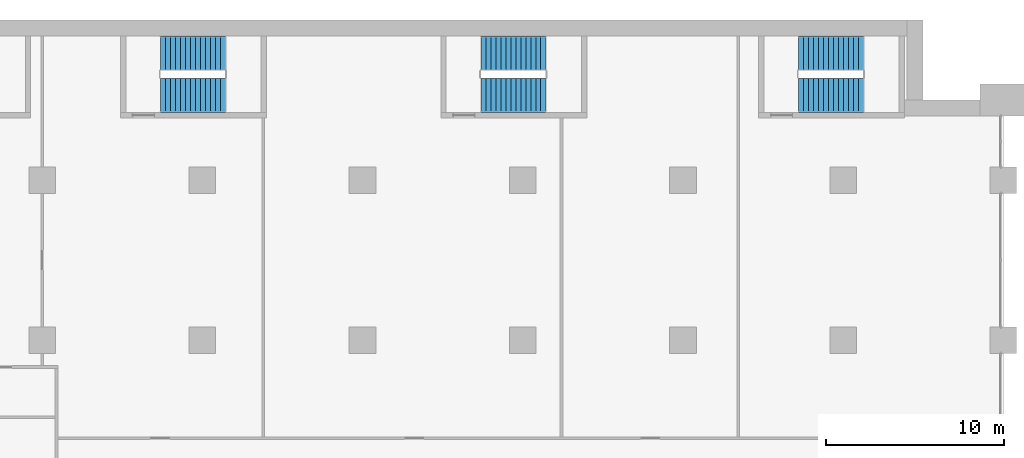
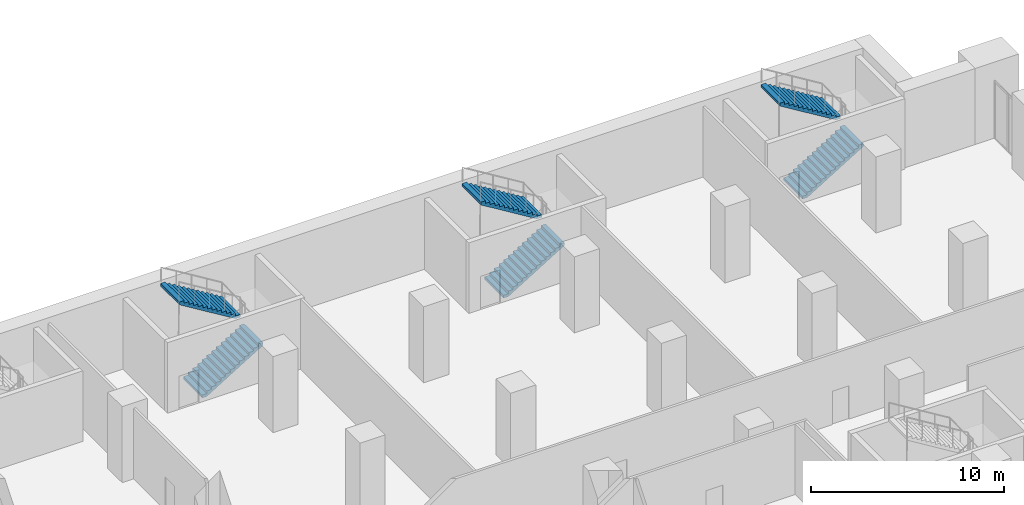
# One storey, part 34 of 49: 6 stair flights, 3 elements without a shape of their own.
"""IFC4 building model written with IfcOpenShell, lengths in metres."""

from ifc_helpers import new_model, si_unit, direction, frame, origin, place, context, subcontext, project, spatial, polyline, outline, extrude, material, type_object, element, aggregate, save


model = new_model("IFC4")

# Units and contexts
model_context = context("Model", 3, precision=1e-05, world=origin(), true_north=direction((0.0, 1.0)))
body_context = subcontext(model_context, "Body", "Model", "MODEL_VIEW")
ifc_project = project(units=[si_unit("LENGTHUNIT", "METRE"), si_unit("AREAUNIT", "SQUARE_METRE"), si_unit("VOLUMEUNIT", "CUBIC_METRE"), si_unit("PLANEANGLEUNIT", "RADIAN"), si_unit("MASSUNIT", "GRAM", prefix="KILO")], contexts=[model_context])

# Site, building, storey
site_placement = place(None, origin())
site = spatial("IfcSite", under=ifc_project, at=site_placement, CompositionType="ELEMENT")
building_placement = place(site_placement, origin())
building = spatial("IfcBuilding", under=site, at=building_placement, Name="Hunhe Ridgeline Campus", CompositionType="ELEMENT")
storey_placement = place(building_placement, frame((0.0, 0.0, 21.60009765625)))
storey = spatial("IfcBuildingStorey", under=building, at=storey_placement, Name="L04", CompositionType="ELEMENT", Elevation=21.60009765625)

# Stair, stair flights
ifc_material = material(Name="Concrete C40", Category="concrete")
stair_type = type_object("IfcStairType", Name="Reinforced concrete dog-leg stair 1950 Concrete C40", PredefinedType="HALF_TURN_STAIR", material=ifc_material)
stair_1_placement = place(storey_placement, origin())
stair_1 = element("IfcStair", 1, at=stair_1_placement, inside=storey, type_object=stair_type, Name="L04 E2", PredefinedType="HALF_TURN_STAIR")
stair_flight_type = type_object("IfcStairFlightType", Name="Reinforced concrete stair flight 1950 Concrete C40", PredefinedType="STRAIGHT", material=ifc_material)
stair_flight_1_placement = place(storey_placement, frame((51.64990234375, 94.77490234375, 0.0), z_axis=(0.0, 0.0, 1.0), x_axis=(1.0, 0.0, 0.0)))
stair_flight_1 = element("IfcStairFlight", 2, at=stair_flight_1_placement, type_object=stair_flight_type, Name="ST6 flight 1", NumberOfRisers=14, NumberOfTreads=13, PredefinedType="STRAIGHT", RiserHeight=0.171428571, TreadLength=0.28, context=body_context, shape_type="SweptSolid", body=[
    extrude(outline(polyline([(0.0, 0.0), (0.0, 0.17138671875), (0.280029296875, 0.17138671875), (0.280029296875, 0.3427734375), (0.56005859375, 0.3427734375), (0.56005859375, 0.514404296875), (0.840087890625, 0.514404296875), (0.840087890625, 0.685791015625), (1.1201171875, 0.685791015625), (1.1201171875, 0.857177734375), (1.39990234375, 0.857177734375), (1.39990234375, 1.028564453125), (1.679931640625, 1.028564453125), (1.679931640625, 1.199951171875), (1.9599609375, 1.199951171875), (1.9599609375, 1.371337890625), (2.239990234375, 1.371337890625), (2.239990234375, 1.54296875), (2.52001953125, 1.54296875), (2.52001953125, 1.71435546875), (2.800048828125, 1.71435546875), (2.800048828125, 1.8857421875), (3.080078125, 1.8857421875), (3.080078125, 2.05712890625), (3.360107421875, 2.05712890625), (3.360107421875, 2.228515625), (3.639892578125, 2.228515625), (3.639892578125, 2.39990234375), (3.639892578125, 2.052734375), (0.287109375, 0.0), (0.0, 0.0)])), frame((0.0, 0.97509765625, 0.0), z_axis=(0.0, -1.0, 0.0), x_axis=(1.0, 0.0, 0.0)), (0.0, 0.0, 1.0), 1.949951171875),
    extrude(outline(polyline([(0.030029296875, 0.030029296875), (0.030029296875, 0.141357421875), (0.31005859375, 0.141357421875), (0.31005859375, 0.31298828125), (0.590087890625, 0.31298828125), (0.590087890625, 0.484375), (0.8701171875, 0.484375), (0.8701171875, 0.65576171875), (1.14990234375, 0.65576171875), (1.14990234375, 0.8271484375), (1.429931640625, 0.8271484375), (1.429931640625, 0.99853515625), (1.7099609375, 0.99853515625), (1.7099609375, 1.169921875), (1.989990234375, 1.169921875), (1.989990234375, 1.34130859375), (2.27001953125, 1.34130859375), (2.27001953125, 1.512939453125), (2.550048828125, 1.512939453125), (2.550048828125, 1.684326171875), (2.830078125, 1.684326171875), (2.830078125, 1.855712890625), (3.110107421875, 1.855712890625), (3.110107421875, 2.027099609375), (3.389892578125, 2.027099609375), (3.389892578125, 2.198486328125), (3.610107421875, 2.198486328125), (3.610107421875, 2.069580078125), (0.278564453125, 0.030029296875), (0.030029296875, 0.030029296875)])), frame((0.0, -0.070068359375, 0.0), z_axis=(0.0, -1.0, 0.0), x_axis=(1.0, 0.0, 0.0)), (0.0, 0.0, 1.0), 0.019775390625),
    extrude(outline(polyline([(0.030029296875, 0.030029296875), (0.030029296875, 0.141357421875), (0.31005859375, 0.141357421875), (0.31005859375, 0.31298828125), (0.590087890625, 0.31298828125), (0.590087890625, 0.484375), (0.8701171875, 0.484375), (0.8701171875, 0.65576171875), (1.14990234375, 0.65576171875), (1.14990234375, 0.8271484375), (1.429931640625, 0.8271484375), (1.429931640625, 0.99853515625), (1.7099609375, 0.99853515625), (1.7099609375, 1.169921875), (1.989990234375, 1.169921875), (1.989990234375, 1.34130859375), (2.27001953125, 1.34130859375), (2.27001953125, 1.512939453125), (2.550048828125, 1.512939453125), (2.550048828125, 1.684326171875), (2.830078125, 1.684326171875), (2.830078125, 1.855712890625), (3.110107421875, 1.855712890625), (3.110107421875, 2.027099609375), (3.389892578125, 2.027099609375), (3.389892578125, 2.198486328125), (3.610107421875, 2.198486328125), (3.610107421875, 2.069580078125), (0.278564453125, 0.030029296875), (0.030029296875, 0.030029296875)])), frame((0.0, 0.010009765625, 0.0), z_axis=(0.0, -1.0, 0.0), x_axis=(1.0, 0.0, 0.0)), (0.0, 0.0, 1.0), 0.019775390625),
    extrude(outline(polyline([(0.030029296875, 0.030029296875), (0.030029296875, 0.141357421875), (0.31005859375, 0.141357421875), (0.31005859375, 0.31298828125), (0.590087890625, 0.31298828125), (0.590087890625, 0.484375), (0.8701171875, 0.484375), (0.8701171875, 0.65576171875), (1.14990234375, 0.65576171875), (1.14990234375, 0.8271484375), (1.429931640625, 0.8271484375), (1.429931640625, 0.99853515625), (1.7099609375, 0.99853515625), (1.7099609375, 1.169921875), (1.989990234375, 1.169921875), (1.989990234375, 1.34130859375), (2.27001953125, 1.34130859375), (2.27001953125, 1.512939453125), (2.550048828125, 1.512939453125), (2.550048828125, 1.684326171875), (2.830078125, 1.684326171875), (2.830078125, 1.855712890625), (3.110107421875, 1.855712890625), (3.110107421875, 2.027099609375), (3.389892578125, 2.027099609375), (3.389892578125, 2.198486328125), (3.610107421875, 2.198486328125), (3.610107421875, 2.069580078125), (0.278564453125, 0.030029296875), (0.030029296875, 0.030029296875)])), frame((0.0, 0.090087890625, 0.0), z_axis=(0.0, -1.0, 0.0), x_axis=(1.0, 0.0, 0.0)), (0.0, 0.0, 1.0), 0.019775390625),
])
stair_flight_2_placement = place(storey_placement, frame((55.2900390625, 97.125, 2.39990234375), z_axis=(0.0, 0.0, 1.0), x_axis=(-1.0, 0.0, 0.0)))
stair_flight_2 = element("IfcStairFlight", 3, at=stair_flight_2_placement, type_object=stair_flight_type, Name="ST6 flight 2", NumberOfRisers=14, NumberOfTreads=13, PredefinedType="STRAIGHT", RiserHeight=0.171428571, TreadLength=0.28, context=body_context, shape_type="SweptSolid", body=[
    extrude(outline(polyline([(0.0, 0.0), (0.0, 0.17138671875), (0.280029296875, 0.17138671875), (0.280029296875, 0.3427734375), (0.56005859375, 0.3427734375), (0.56005859375, 0.514404296875), (0.840087890625, 0.514404296875), (0.840087890625, 0.685791015625), (1.1201171875, 0.685791015625), (1.1201171875, 0.857177734375), (1.39990234375, 0.857177734375), (1.39990234375, 1.028564453125), (1.679931640625, 1.028564453125), (1.679931640625, 1.199951171875), (1.9599609375, 1.199951171875), (1.9599609375, 1.371337890625), (2.239990234375, 1.371337890625), (2.239990234375, 1.54296875), (2.52001953125, 1.54296875), (2.52001953125, 1.71435546875), (2.800048828125, 1.71435546875), (2.800048828125, 1.8857421875), (3.080078125, 1.8857421875), (3.080078125, 2.05712890625), (3.360107421875, 2.05712890625), (3.360107421875, 2.228515625), (3.639892578125, 2.228515625), (3.639892578125, 2.39990234375), (3.639892578125, 2.052734375), (0.287109375, 0.0), (0.0, 0.0)])), frame((0.0, 0.97509765625, 0.0), z_axis=(0.0, -1.0, 0.0), x_axis=(1.0, 0.0, 0.0)), (0.0, 0.0, 1.0), 1.949951171875),
    extrude(outline(polyline([(0.030029296875, 0.030029296875), (0.030029296875, 0.141357421875), (0.31005859375, 0.141357421875), (0.31005859375, 0.31298828125), (0.590087890625, 0.31298828125), (0.590087890625, 0.484375), (0.8701171875, 0.484375), (0.8701171875, 0.65576171875), (1.14990234375, 0.65576171875), (1.14990234375, 0.8271484375), (1.429931640625, 0.8271484375), (1.429931640625, 0.99853515625), (1.7099609375, 0.99853515625), (1.7099609375, 1.169921875), (1.989990234375, 1.169921875), (1.989990234375, 1.34130859375), (2.27001953125, 1.34130859375), (2.27001953125, 1.512939453125), (2.550048828125, 1.512939453125), (2.550048828125, 1.684326171875), (2.830078125, 1.684326171875), (2.830078125, 1.855712890625), (3.110107421875, 1.855712890625), (3.110107421875, 2.027099609375), (3.389892578125, 2.027099609375), (3.389892578125, 2.198486328125), (3.610107421875, 2.198486328125), (3.610107421875, 2.069580078125), (0.278564453125, 0.030029296875), (0.030029296875, 0.030029296875)])), frame((0.0, -0.070068359375, 0.0), z_axis=(0.0, -1.0, 0.0), x_axis=(1.0, 0.0, 0.0)), (0.0, 0.0, 1.0), 0.019775390625),
    extrude(outline(polyline([(0.030029296875, 0.030029296875), (0.030029296875, 0.141357421875), (0.31005859375, 0.141357421875), (0.31005859375, 0.31298828125), (0.590087890625, 0.31298828125), (0.590087890625, 0.484375), (0.8701171875, 0.484375), (0.8701171875, 0.65576171875), (1.14990234375, 0.65576171875), (1.14990234375, 0.8271484375), (1.429931640625, 0.8271484375), (1.429931640625, 0.99853515625), (1.7099609375, 0.99853515625), (1.7099609375, 1.169921875), (1.989990234375, 1.169921875), (1.989990234375, 1.34130859375), (2.27001953125, 1.34130859375), (2.27001953125, 1.512939453125), (2.550048828125, 1.512939453125), (2.550048828125, 1.684326171875), (2.830078125, 1.684326171875), (2.830078125, 1.855712890625), (3.110107421875, 1.855712890625), (3.110107421875, 2.027099609375), (3.389892578125, 2.027099609375), (3.389892578125, 2.198486328125), (3.610107421875, 2.198486328125), (3.610107421875, 2.069580078125), (0.278564453125, 0.030029296875), (0.030029296875, 0.030029296875)])), frame((0.0, 0.010009765625, 0.0), z_axis=(0.0, -1.0, 0.0), x_axis=(1.0, 0.0, 0.0)), (0.0, 0.0, 1.0), 0.019775390625),
    extrude(outline(polyline([(0.030029296875, 0.030029296875), (0.030029296875, 0.141357421875), (0.31005859375, 0.141357421875), (0.31005859375, 0.31298828125), (0.590087890625, 0.31298828125), (0.590087890625, 0.484375), (0.8701171875, 0.484375), (0.8701171875, 0.65576171875), (1.14990234375, 0.65576171875), (1.14990234375, 0.8271484375), (1.429931640625, 0.8271484375), (1.429931640625, 0.99853515625), (1.7099609375, 0.99853515625), (1.7099609375, 1.169921875), (1.989990234375, 1.169921875), (1.989990234375, 1.34130859375), (2.27001953125, 1.34130859375), (2.27001953125, 1.512939453125), (2.550048828125, 1.512939453125), (2.550048828125, 1.684326171875), (2.830078125, 1.684326171875), (2.830078125, 1.855712890625), (3.110107421875, 1.855712890625), (3.110107421875, 2.027099609375), (3.389892578125, 2.027099609375), (3.389892578125, 2.198486328125), (3.610107421875, 2.198486328125), (3.610107421875, 2.069580078125), (0.278564453125, 0.030029296875), (0.030029296875, 0.030029296875)])), frame((0.0, 0.090087890625, 0.0), z_axis=(0.0, -1.0, 0.0), x_axis=(1.0, 0.0, 0.0)), (0.0, 0.0, 1.0), 0.019775390625),
])
aggregate(stair_1, [stair_flight_1, stair_flight_2])

stair_2_placement = place(storey_placement, origin())
stair_2 = element("IfcStair", 4, at=stair_2_placement, inside=storey, type_object=stair_type, Name="L04 E3", PredefinedType="HALF_TURN_STAIR")
stair_flight_3_placement = place(storey_placement, frame((69.64990234375, 94.77490234375, 0.0), z_axis=(0.0, 0.0, 1.0), x_axis=(1.0, 0.0, 0.0)))
stair_flight_3 = element("IfcStairFlight", 5, at=stair_flight_3_placement, type_object=stair_flight_type, Name="ST7 flight 1", NumberOfRisers=14, NumberOfTreads=13, PredefinedType="STRAIGHT", RiserHeight=0.171428571, TreadLength=0.28, context=body_context, shape_type="SweptSolid", body=[
    extrude(outline(polyline([(0.0, 0.0), (0.0, 0.17138671875), (0.280029296875, 0.17138671875), (0.280029296875, 0.3427734375), (0.56005859375, 0.3427734375), (0.56005859375, 0.514404296875), (0.840087890625, 0.514404296875), (0.840087890625, 0.685791015625), (1.1201171875, 0.685791015625), (1.1201171875, 0.857177734375), (1.39990234375, 0.857177734375), (1.39990234375, 1.028564453125), (1.679931640625, 1.028564453125), (1.679931640625, 1.199951171875), (1.9599609375, 1.199951171875), (1.9599609375, 1.371337890625), (2.239990234375, 1.371337890625), (2.239990234375, 1.54296875), (2.52001953125, 1.54296875), (2.52001953125, 1.71435546875), (2.800048828125, 1.71435546875), (2.800048828125, 1.8857421875), (3.080078125, 1.8857421875), (3.080078125, 2.05712890625), (3.360107421875, 2.05712890625), (3.360107421875, 2.228515625), (3.639892578125, 2.228515625), (3.639892578125, 2.39990234375), (3.639892578125, 2.052734375), (0.287109375, 0.0), (0.0, 0.0)])), frame((0.0, 0.97509765625, 0.0), z_axis=(0.0, -1.0, 0.0), x_axis=(1.0, 0.0, 0.0)), (0.0, 0.0, 1.0), 1.949951171875),
    extrude(outline(polyline([(0.030029296875, 0.030029296875), (0.030029296875, 0.141357421875), (0.31005859375, 0.141357421875), (0.31005859375, 0.31298828125), (0.590087890625, 0.31298828125), (0.590087890625, 0.484375), (0.8701171875, 0.484375), (0.8701171875, 0.65576171875), (1.14990234375, 0.65576171875), (1.14990234375, 0.8271484375), (1.429931640625, 0.8271484375), (1.429931640625, 0.99853515625), (1.7099609375, 0.99853515625), (1.7099609375, 1.169921875), (1.989990234375, 1.169921875), (1.989990234375, 1.34130859375), (2.27001953125, 1.34130859375), (2.27001953125, 1.512939453125), (2.550048828125, 1.512939453125), (2.550048828125, 1.684326171875), (2.830078125, 1.684326171875), (2.830078125, 1.855712890625), (3.110107421875, 1.855712890625), (3.110107421875, 2.027099609375), (3.389892578125, 2.027099609375), (3.389892578125, 2.198486328125), (3.610107421875, 2.198486328125), (3.610107421875, 2.069580078125), (0.278564453125, 0.030029296875), (0.030029296875, 0.030029296875)])), frame((0.0, -0.070068359375, 0.0), z_axis=(0.0, -1.0, 0.0), x_axis=(1.0, 0.0, 0.0)), (0.0, 0.0, 1.0), 0.019775390625),
    extrude(outline(polyline([(0.030029296875, 0.030029296875), (0.030029296875, 0.141357421875), (0.31005859375, 0.141357421875), (0.31005859375, 0.31298828125), (0.590087890625, 0.31298828125), (0.590087890625, 0.484375), (0.8701171875, 0.484375), (0.8701171875, 0.65576171875), (1.14990234375, 0.65576171875), (1.14990234375, 0.8271484375), (1.429931640625, 0.8271484375), (1.429931640625, 0.99853515625), (1.7099609375, 0.99853515625), (1.7099609375, 1.169921875), (1.989990234375, 1.169921875), (1.989990234375, 1.34130859375), (2.27001953125, 1.34130859375), (2.27001953125, 1.512939453125), (2.550048828125, 1.512939453125), (2.550048828125, 1.684326171875), (2.830078125, 1.684326171875), (2.830078125, 1.855712890625), (3.110107421875, 1.855712890625), (3.110107421875, 2.027099609375), (3.389892578125, 2.027099609375), (3.389892578125, 2.198486328125), (3.610107421875, 2.198486328125), (3.610107421875, 2.069580078125), (0.278564453125, 0.030029296875), (0.030029296875, 0.030029296875)])), frame((0.0, 0.010009765625, 0.0), z_axis=(0.0, -1.0, 0.0), x_axis=(1.0, 0.0, 0.0)), (0.0, 0.0, 1.0), 0.019775390625),
    extrude(outline(polyline([(0.030029296875, 0.030029296875), (0.030029296875, 0.141357421875), (0.31005859375, 0.141357421875), (0.31005859375, 0.31298828125), (0.590087890625, 0.31298828125), (0.590087890625, 0.484375), (0.8701171875, 0.484375), (0.8701171875, 0.65576171875), (1.14990234375, 0.65576171875), (1.14990234375, 0.8271484375), (1.429931640625, 0.8271484375), (1.429931640625, 0.99853515625), (1.7099609375, 0.99853515625), (1.7099609375, 1.169921875), (1.989990234375, 1.169921875), (1.989990234375, 1.34130859375), (2.27001953125, 1.34130859375), (2.27001953125, 1.512939453125), (2.550048828125, 1.512939453125), (2.550048828125, 1.684326171875), (2.830078125, 1.684326171875), (2.830078125, 1.855712890625), (3.110107421875, 1.855712890625), (3.110107421875, 2.027099609375), (3.389892578125, 2.027099609375), (3.389892578125, 2.198486328125), (3.610107421875, 2.198486328125), (3.610107421875, 2.069580078125), (0.278564453125, 0.030029296875), (0.030029296875, 0.030029296875)])), frame((0.0, 0.090087890625, 0.0), z_axis=(0.0, -1.0, 0.0), x_axis=(1.0, 0.0, 0.0)), (0.0, 0.0, 1.0), 0.019775390625),
])
stair_flight_4_placement = place(storey_placement, frame((73.2900390625, 97.125, 2.39990234375), z_axis=(0.0, 0.0, 1.0), x_axis=(-1.0, 0.0, 0.0)))
stair_flight_4 = element("IfcStairFlight", 6, at=stair_flight_4_placement, type_object=stair_flight_type, Name="ST7 flight 2", NumberOfRisers=14, NumberOfTreads=13, PredefinedType="STRAIGHT", RiserHeight=0.171428571, TreadLength=0.28, context=body_context, shape_type="SweptSolid", body=[
    extrude(outline(polyline([(0.0, 0.0), (0.0, 0.17138671875), (0.280029296875, 0.17138671875), (0.280029296875, 0.3427734375), (0.56005859375, 0.3427734375), (0.56005859375, 0.514404296875), (0.840087890625, 0.514404296875), (0.840087890625, 0.685791015625), (1.1201171875, 0.685791015625), (1.1201171875, 0.857177734375), (1.39990234375, 0.857177734375), (1.39990234375, 1.028564453125), (1.679931640625, 1.028564453125), (1.679931640625, 1.199951171875), (1.9599609375, 1.199951171875), (1.9599609375, 1.371337890625), (2.239990234375, 1.371337890625), (2.239990234375, 1.54296875), (2.52001953125, 1.54296875), (2.52001953125, 1.71435546875), (2.800048828125, 1.71435546875), (2.800048828125, 1.8857421875), (3.080078125, 1.8857421875), (3.080078125, 2.05712890625), (3.360107421875, 2.05712890625), (3.360107421875, 2.228515625), (3.639892578125, 2.228515625), (3.639892578125, 2.39990234375), (3.639892578125, 2.052734375), (0.287109375, 0.0), (0.0, 0.0)])), frame((0.0, 0.97509765625, 0.0), z_axis=(0.0, -1.0, 0.0), x_axis=(1.0, 0.0, 0.0)), (0.0, 0.0, 1.0), 1.949951171875),
    extrude(outline(polyline([(0.030029296875, 0.030029296875), (0.030029296875, 0.141357421875), (0.31005859375, 0.141357421875), (0.31005859375, 0.31298828125), (0.590087890625, 0.31298828125), (0.590087890625, 0.484375), (0.8701171875, 0.484375), (0.8701171875, 0.65576171875), (1.14990234375, 0.65576171875), (1.14990234375, 0.8271484375), (1.429931640625, 0.8271484375), (1.429931640625, 0.99853515625), (1.7099609375, 0.99853515625), (1.7099609375, 1.169921875), (1.989990234375, 1.169921875), (1.989990234375, 1.34130859375), (2.27001953125, 1.34130859375), (2.27001953125, 1.512939453125), (2.550048828125, 1.512939453125), (2.550048828125, 1.684326171875), (2.830078125, 1.684326171875), (2.830078125, 1.855712890625), (3.110107421875, 1.855712890625), (3.110107421875, 2.027099609375), (3.389892578125, 2.027099609375), (3.389892578125, 2.198486328125), (3.610107421875, 2.198486328125), (3.610107421875, 2.069580078125), (0.278564453125, 0.030029296875), (0.030029296875, 0.030029296875)])), frame((0.0, -0.070068359375, 0.0), z_axis=(0.0, -1.0, 0.0), x_axis=(1.0, 0.0, 0.0)), (0.0, 0.0, 1.0), 0.019775390625),
    extrude(outline(polyline([(0.030029296875, 0.030029296875), (0.030029296875, 0.141357421875), (0.31005859375, 0.141357421875), (0.31005859375, 0.31298828125), (0.590087890625, 0.31298828125), (0.590087890625, 0.484375), (0.8701171875, 0.484375), (0.8701171875, 0.65576171875), (1.14990234375, 0.65576171875), (1.14990234375, 0.8271484375), (1.429931640625, 0.8271484375), (1.429931640625, 0.99853515625), (1.7099609375, 0.99853515625), (1.7099609375, 1.169921875), (1.989990234375, 1.169921875), (1.989990234375, 1.34130859375), (2.27001953125, 1.34130859375), (2.27001953125, 1.512939453125), (2.550048828125, 1.512939453125), (2.550048828125, 1.684326171875), (2.830078125, 1.684326171875), (2.830078125, 1.855712890625), (3.110107421875, 1.855712890625), (3.110107421875, 2.027099609375), (3.389892578125, 2.027099609375), (3.389892578125, 2.198486328125), (3.610107421875, 2.198486328125), (3.610107421875, 2.069580078125), (0.278564453125, 0.030029296875), (0.030029296875, 0.030029296875)])), frame((0.0, 0.010009765625, 0.0), z_axis=(0.0, -1.0, 0.0), x_axis=(1.0, 0.0, 0.0)), (0.0, 0.0, 1.0), 0.019775390625),
    extrude(outline(polyline([(0.030029296875, 0.030029296875), (0.030029296875, 0.141357421875), (0.31005859375, 0.141357421875), (0.31005859375, 0.31298828125), (0.590087890625, 0.31298828125), (0.590087890625, 0.484375), (0.8701171875, 0.484375), (0.8701171875, 0.65576171875), (1.14990234375, 0.65576171875), (1.14990234375, 0.8271484375), (1.429931640625, 0.8271484375), (1.429931640625, 0.99853515625), (1.7099609375, 0.99853515625), (1.7099609375, 1.169921875), (1.989990234375, 1.169921875), (1.989990234375, 1.34130859375), (2.27001953125, 1.34130859375), (2.27001953125, 1.512939453125), (2.550048828125, 1.512939453125), (2.550048828125, 1.684326171875), (2.830078125, 1.684326171875), (2.830078125, 1.855712890625), (3.110107421875, 1.855712890625), (3.110107421875, 2.027099609375), (3.389892578125, 2.027099609375), (3.389892578125, 2.198486328125), (3.610107421875, 2.198486328125), (3.610107421875, 2.069580078125), (0.278564453125, 0.030029296875), (0.030029296875, 0.030029296875)])), frame((0.0, 0.090087890625, 0.0), z_axis=(0.0, -1.0, 0.0), x_axis=(1.0, 0.0, 0.0)), (0.0, 0.0, 1.0), 0.019775390625),
])
aggregate(stair_2, [stair_flight_3, stair_flight_4])

stair_3_placement = place(storey_placement, origin())
stair_3 = element("IfcStair", 7, at=stair_3_placement, inside=storey, type_object=stair_type, Name="L04 E4", PredefinedType="HALF_TURN_STAIR")
stair_flight_5_placement = place(storey_placement, frame((87.5, 94.77490234375, 0.0), z_axis=(0.0, 0.0, 1.0), x_axis=(1.0, 0.0, 0.0)))
stair_flight_5 = element("IfcStairFlight", 8, at=stair_flight_5_placement, type_object=stair_flight_type, Name="ST8 flight 1", NumberOfRisers=14, NumberOfTreads=13, PredefinedType="STRAIGHT", RiserHeight=0.171428571, TreadLength=0.28, context=body_context, shape_type="SweptSolid", body=[
    extrude(outline(polyline([(0.0, 0.0), (0.0, 0.17138671875), (0.280029296875, 0.17138671875), (0.280029296875, 0.3427734375), (0.56005859375, 0.3427734375), (0.56005859375, 0.514404296875), (0.840087890625, 0.514404296875), (0.840087890625, 0.685791015625), (1.1201171875, 0.685791015625), (1.1201171875, 0.857177734375), (1.39990234375, 0.857177734375), (1.39990234375, 1.028564453125), (1.679931640625, 1.028564453125), (1.679931640625, 1.199951171875), (1.9599609375, 1.199951171875), (1.9599609375, 1.371337890625), (2.239990234375, 1.371337890625), (2.239990234375, 1.54296875), (2.52001953125, 1.54296875), (2.52001953125, 1.71435546875), (2.800048828125, 1.71435546875), (2.800048828125, 1.8857421875), (3.080078125, 1.8857421875), (3.080078125, 2.05712890625), (3.360107421875, 2.05712890625), (3.360107421875, 2.228515625), (3.639892578125, 2.228515625), (3.639892578125, 2.39990234375), (3.639892578125, 2.052734375), (0.287109375, 0.0), (0.0, 0.0)])), frame((0.0, 0.97509765625, 0.0), z_axis=(0.0, -1.0, 0.0), x_axis=(1.0, 0.0, 0.0)), (0.0, 0.0, 1.0), 1.949951171875),
    extrude(outline(polyline([(0.030029296875, 0.030029296875), (0.030029296875, 0.141357421875), (0.31005859375, 0.141357421875), (0.31005859375, 0.31298828125), (0.590087890625, 0.31298828125), (0.590087890625, 0.484375), (0.8701171875, 0.484375), (0.8701171875, 0.65576171875), (1.14990234375, 0.65576171875), (1.14990234375, 0.8271484375), (1.429931640625, 0.8271484375), (1.429931640625, 0.99853515625), (1.7099609375, 0.99853515625), (1.7099609375, 1.169921875), (1.989990234375, 1.169921875), (1.989990234375, 1.34130859375), (2.27001953125, 1.34130859375), (2.27001953125, 1.512939453125), (2.550048828125, 1.512939453125), (2.550048828125, 1.684326171875), (2.830078125, 1.684326171875), (2.830078125, 1.855712890625), (3.110107421875, 1.855712890625), (3.110107421875, 2.027099609375), (3.389892578125, 2.027099609375), (3.389892578125, 2.198486328125), (3.610107421875, 2.198486328125), (3.610107421875, 2.069580078125), (0.278564453125, 0.030029296875), (0.030029296875, 0.030029296875)])), frame((0.0, -0.070068359375, 0.0), z_axis=(0.0, -1.0, 0.0), x_axis=(1.0, 0.0, 0.0)), (0.0, 0.0, 1.0), 0.019775390625),
    extrude(outline(polyline([(0.030029296875, 0.030029296875), (0.030029296875, 0.141357421875), (0.31005859375, 0.141357421875), (0.31005859375, 0.31298828125), (0.590087890625, 0.31298828125), (0.590087890625, 0.484375), (0.8701171875, 0.484375), (0.8701171875, 0.65576171875), (1.14990234375, 0.65576171875), (1.14990234375, 0.8271484375), (1.429931640625, 0.8271484375), (1.429931640625, 0.99853515625), (1.7099609375, 0.99853515625), (1.7099609375, 1.169921875), (1.989990234375, 1.169921875), (1.989990234375, 1.34130859375), (2.27001953125, 1.34130859375), (2.27001953125, 1.512939453125), (2.550048828125, 1.512939453125), (2.550048828125, 1.684326171875), (2.830078125, 1.684326171875), (2.830078125, 1.855712890625), (3.110107421875, 1.855712890625), (3.110107421875, 2.027099609375), (3.389892578125, 2.027099609375), (3.389892578125, 2.198486328125), (3.610107421875, 2.198486328125), (3.610107421875, 2.069580078125), (0.278564453125, 0.030029296875), (0.030029296875, 0.030029296875)])), frame((0.0, 0.010009765625, 0.0), z_axis=(0.0, -1.0, 0.0), x_axis=(1.0, 0.0, 0.0)), (0.0, 0.0, 1.0), 0.019775390625),
    extrude(outline(polyline([(0.030029296875, 0.030029296875), (0.030029296875, 0.141357421875), (0.31005859375, 0.141357421875), (0.31005859375, 0.31298828125), (0.590087890625, 0.31298828125), (0.590087890625, 0.484375), (0.8701171875, 0.484375), (0.8701171875, 0.65576171875), (1.14990234375, 0.65576171875), (1.14990234375, 0.8271484375), (1.429931640625, 0.8271484375), (1.429931640625, 0.99853515625), (1.7099609375, 0.99853515625), (1.7099609375, 1.169921875), (1.989990234375, 1.169921875), (1.989990234375, 1.34130859375), (2.27001953125, 1.34130859375), (2.27001953125, 1.512939453125), (2.550048828125, 1.512939453125), (2.550048828125, 1.684326171875), (2.830078125, 1.684326171875), (2.830078125, 1.855712890625), (3.110107421875, 1.855712890625), (3.110107421875, 2.027099609375), (3.389892578125, 2.027099609375), (3.389892578125, 2.198486328125), (3.610107421875, 2.198486328125), (3.610107421875, 2.069580078125), (0.278564453125, 0.030029296875), (0.030029296875, 0.030029296875)])), frame((0.0, 0.090087890625, 0.0), z_axis=(0.0, -1.0, 0.0), x_axis=(1.0, 0.0, 0.0)), (0.0, 0.0, 1.0), 0.019775390625),
])
stair_flight_6_placement = place(storey_placement, frame((91.139892578125, 97.125, 2.39990234375), z_axis=(0.0, 0.0, 1.0), x_axis=(-1.0, 0.0, 0.0)))
stair_flight_6 = element("IfcStairFlight", 9, at=stair_flight_6_placement, type_object=stair_flight_type, Name="ST8 flight 2", NumberOfRisers=14, NumberOfTreads=13, PredefinedType="STRAIGHT", RiserHeight=0.171428571, TreadLength=0.28, context=body_context, shape_type="SweptSolid", body=[
    extrude(outline(polyline([(0.0, 0.0), (0.0, 0.17138671875), (0.280029296875, 0.17138671875), (0.280029296875, 0.3427734375), (0.56005859375, 0.3427734375), (0.56005859375, 0.514404296875), (0.840087890625, 0.514404296875), (0.840087890625, 0.685791015625), (1.1201171875, 0.685791015625), (1.1201171875, 0.857177734375), (1.39990234375, 0.857177734375), (1.39990234375, 1.028564453125), (1.679931640625, 1.028564453125), (1.679931640625, 1.199951171875), (1.9599609375, 1.199951171875), (1.9599609375, 1.371337890625), (2.239990234375, 1.371337890625), (2.239990234375, 1.54296875), (2.52001953125, 1.54296875), (2.52001953125, 1.71435546875), (2.800048828125, 1.71435546875), (2.800048828125, 1.8857421875), (3.080078125, 1.8857421875), (3.080078125, 2.05712890625), (3.360107421875, 2.05712890625), (3.360107421875, 2.228515625), (3.639892578125, 2.228515625), (3.639892578125, 2.39990234375), (3.639892578125, 2.052734375), (0.287109375, 0.0), (0.0, 0.0)])), frame((0.0, 0.97509765625, 0.0), z_axis=(0.0, -1.0, 0.0), x_axis=(1.0, 0.0, 0.0)), (0.0, 0.0, 1.0), 1.949951171875),
    extrude(outline(polyline([(0.030029296875, 0.030029296875), (0.030029296875, 0.141357421875), (0.31005859375, 0.141357421875), (0.31005859375, 0.31298828125), (0.590087890625, 0.31298828125), (0.590087890625, 0.484375), (0.8701171875, 0.484375), (0.8701171875, 0.65576171875), (1.14990234375, 0.65576171875), (1.14990234375, 0.8271484375), (1.429931640625, 0.8271484375), (1.429931640625, 0.99853515625), (1.7099609375, 0.99853515625), (1.7099609375, 1.169921875), (1.989990234375, 1.169921875), (1.989990234375, 1.34130859375), (2.27001953125, 1.34130859375), (2.27001953125, 1.512939453125), (2.550048828125, 1.512939453125), (2.550048828125, 1.684326171875), (2.830078125, 1.684326171875), (2.830078125, 1.855712890625), (3.110107421875, 1.855712890625), (3.110107421875, 2.027099609375), (3.389892578125, 2.027099609375), (3.389892578125, 2.198486328125), (3.610107421875, 2.198486328125), (3.610107421875, 2.069580078125), (0.278564453125, 0.030029296875), (0.030029296875, 0.030029296875)])), frame((0.0, -0.070068359375, 0.0), z_axis=(0.0, -1.0, 0.0), x_axis=(1.0, 0.0, 0.0)), (0.0, 0.0, 1.0), 0.019775390625),
    extrude(outline(polyline([(0.030029296875, 0.030029296875), (0.030029296875, 0.141357421875), (0.31005859375, 0.141357421875), (0.31005859375, 0.31298828125), (0.590087890625, 0.31298828125), (0.590087890625, 0.484375), (0.8701171875, 0.484375), (0.8701171875, 0.65576171875), (1.14990234375, 0.65576171875), (1.14990234375, 0.8271484375), (1.429931640625, 0.8271484375), (1.429931640625, 0.99853515625), (1.7099609375, 0.99853515625), (1.7099609375, 1.169921875), (1.989990234375, 1.169921875), (1.989990234375, 1.34130859375), (2.27001953125, 1.34130859375), (2.27001953125, 1.512939453125), (2.550048828125, 1.512939453125), (2.550048828125, 1.684326171875), (2.830078125, 1.684326171875), (2.830078125, 1.855712890625), (3.110107421875, 1.855712890625), (3.110107421875, 2.027099609375), (3.389892578125, 2.027099609375), (3.389892578125, 2.198486328125), (3.610107421875, 2.198486328125), (3.610107421875, 2.069580078125), (0.278564453125, 0.030029296875), (0.030029296875, 0.030029296875)])), frame((0.0, 0.010009765625, 0.0), z_axis=(0.0, -1.0, 0.0), x_axis=(1.0, 0.0, 0.0)), (0.0, 0.0, 1.0), 0.019775390625),
    extrude(outline(polyline([(0.030029296875, 0.030029296875), (0.030029296875, 0.141357421875), (0.31005859375, 0.141357421875), (0.31005859375, 0.31298828125), (0.590087890625, 0.31298828125), (0.590087890625, 0.484375), (0.8701171875, 0.484375), (0.8701171875, 0.65576171875), (1.14990234375, 0.65576171875), (1.14990234375, 0.8271484375), (1.429931640625, 0.8271484375), (1.429931640625, 0.99853515625), (1.7099609375, 0.99853515625), (1.7099609375, 1.169921875), (1.989990234375, 1.169921875), (1.989990234375, 1.34130859375), (2.27001953125, 1.34130859375), (2.27001953125, 1.512939453125), (2.550048828125, 1.512939453125), (2.550048828125, 1.684326171875), (2.830078125, 1.684326171875), (2.830078125, 1.855712890625), (3.110107421875, 1.855712890625), (3.110107421875, 2.027099609375), (3.389892578125, 2.027099609375), (3.389892578125, 2.198486328125), (3.610107421875, 2.198486328125), (3.610107421875, 2.069580078125), (0.278564453125, 0.030029296875), (0.030029296875, 0.030029296875)])), frame((0.0, 0.090087890625, 0.0), z_axis=(0.0, -1.0, 0.0), x_axis=(1.0, 0.0, 0.0)), (0.0, 0.0, 1.0), 0.019775390625),
])
aggregate(stair_3, [stair_flight_5, stair_flight_6])

save(model, "model.ifc")
